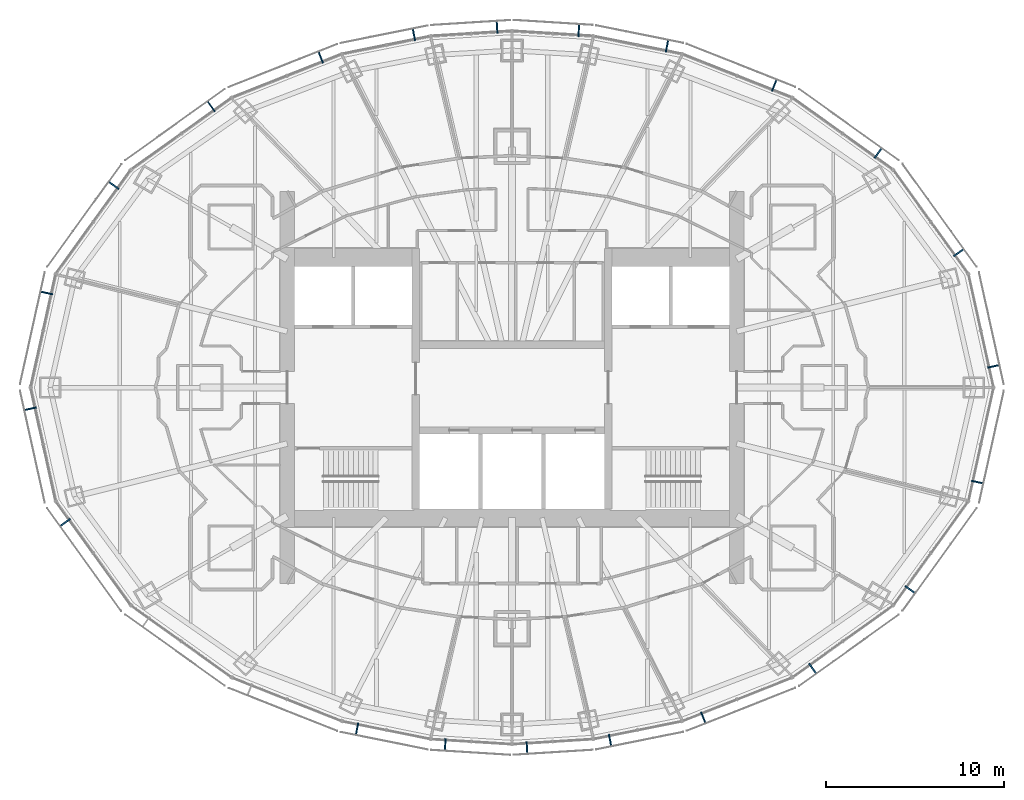
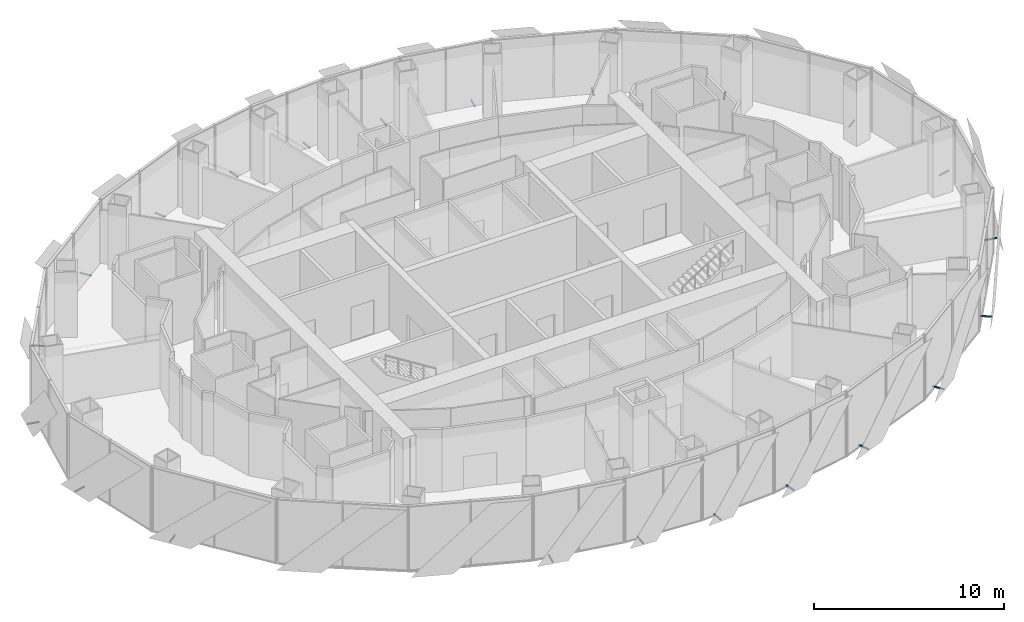
# One storey, part 16 of 19: 22 discrete accessories.
"""IFC4 building model written with IfcOpenShell, lengths in metres."""

from ifc_helpers import new_model, si_unit, direction, frame, origin, origin_2d, place, context, subcontext, project, spatial, rectangle, extrude, element, save


model = new_model("IFC4")

# Units and contexts
model_context = context("Model", 3, precision=1e-05, world=origin(), true_north=direction((0.0, 1.0)))
body_context = subcontext(model_context, "Body", "Model", "MODEL_VIEW")
ifc_project = project(units=[si_unit("LENGTHUNIT", "METRE"), si_unit("AREAUNIT", "SQUARE_METRE"), si_unit("VOLUMEUNIT", "CUBIC_METRE"), si_unit("PLANEANGLEUNIT", "RADIAN"), si_unit("MASSUNIT", "GRAM", prefix="KILO")], contexts=[model_context])

# Site, building, storey
site_placement = place(None, origin())
site = spatial("IfcSite", under=ifc_project, at=site_placement, CompositionType="ELEMENT")
building_placement = place(site_placement, origin())
building = spatial("IfcBuilding", under=site, at=building_placement, Name="Lantaw Convention Tower", CompositionType="ELEMENT")
storey_placement = place(building_placement, frame((0.0, 0.0, 253.60009765625)))
storey = spatial("IfcBuildingStorey", under=building, at=storey_placement, Name="L59", CompositionType="ELEMENT", Elevation=253.60009765625)

# Discrete accessories
for number, where, z_axis, x_axis, name in (
    (1, (27.002197265625, 1.189453125, -0.115234375), (0.0, 0.0, 1.0), (-0.215891333626, 0.976417396437, 0.0), "Screen bracket"),
    (2, (25.05419921875, 7.564453125, -0.115234375), (0.0, 0.0, 1.0), (-0.585157643865, 0.810919559405, 0.0), "Screen bracket"),
    (3, (20.524169921875, 13.14453125, -0.115234375), (0.0, 0.0, 1.0), (-0.813672540482, 0.581323487281, 0.0), "Screen bracket"),
    (4, (14.707763671875, 16.94140625, -0.115234375), (0.0, 0.0, 1.0), (-0.929761533743, 0.368162315252, 0.0), "Screen bracket"),
    (5, (8.68896484375, 19.145751953125, -0.115234375), (0.0, 0.0, 1.0), (-0.980366679695, 0.197183095987, 0.0), "Screen bracket"),
    (6, (3.743896484375, 20.024169921875, -0.115234375), (0.0, 0.0, 1.0), (-0.998028774865, 0.062757983884, 0.0), "Screen bracket"),
    (7, (-0.83984375, 20.206787109375, -0.115234375), (0.0, 0.0, 1.0), (-0.998028774865, -0.062757983884, 0.0), "Screen bracket"),
    (8, (-5.49853515625, 19.78759765625, -0.115234375), (0.0, 0.0, 1.0), (-0.980366679695, -0.197183095987, 0.0), "Screen bracket"),
    (9, (-10.7255859375, 18.518310546875, -0.115234375), (0.0, 0.0, 1.0), (-0.929761533743, -0.368162315252, 0.0), "Screen bracket"),
    (10, (-16.863525390625, 15.759765625, -0.115234375), (0.0, 0.0, 1.0), (-0.813672540482, -0.581323487281, 0.0), "Screen bracket"),
    (11, (-22.333251953125, 11.3349609375, -0.115234375), (0.0, 0.0, 1.0), (-0.585157643865, -0.810919559405, 0.0), "Screen bracket"),
    (12, (-26.0927734375, 5.302490234375, -0.115234375), (0.0, 0.0, 1.0), (-0.215891333626, -0.976417396437, 0.0), "Screen bracket"),
    (13, (-27.002197265625, -1.189453125, -0.115234375), (0.0, 0.0, 1.0), (0.215891333626, -0.976417396437, 0.0), "Screen bracket"),
    (14, (-25.05419921875, -7.564453125, -0.115234375), (0.0, 0.0, 1.0), (0.585157643865, -0.810919559405, 0.0), "Screen bracket"),
    (15, (-8.68896484375, -19.145751953125, -0.115234375), (0.0, 0.0, 1.0), (0.980366679695, -0.197183095987, 0.0), "Screen bracket"),
    (16, (-3.743896484375, -20.024169921875, -0.115234375), (0.0, 0.0, 1.0), (0.998028774865, -0.062757983884, 0.0), "Screen bracket"),
    (17, (0.83984375, -20.206787109375, -0.115234375), (0.0, 0.0, 1.0), (0.998028774865, 0.062757983884, 0.0), "Screen bracket"),
    (18, (5.49853515625, -19.78759765625, -0.115234375), (0.0, 0.0, 1.0), (0.980366679695, 0.197183095987, 0.0), "Screen bracket"),
    (19, (10.7255859375, -18.518310546875, -0.115234375), (0.0, 0.0, 1.0), (0.929761533743, 0.368162315252, 0.0), "Screen bracket"),
    (20, (16.863525390625, -15.759765625, -0.115234375), (0.0, 0.0, 1.0), (0.813672540482, 0.581323487281, 0.0), "Screen bracket"),
    (21, (22.333251953125, -11.3349609375, -0.115234375), (0.0, 0.0, 1.0), (0.585157643865, 0.810919559405, 0.0), "Screen bracket"),
    (22, (26.0927734375, -5.302490234375, -0.115234375), (0.0, 0.0, 1.0), (0.215891333626, 0.976417396437, 0.0), "Screen bracket"),
):
    element("IfcDiscreteAccessory", number, at=place(storey_placement, frame(where, z_axis=z_axis, x_axis=x_axis)), inside=storey, Name=name, PredefinedType="BRACKET", context=body_context, shape_type="SweptSolid", body=[
        extrude(rectangle(XDim=0.080078125, YDim=0.68798828125, at=origin_2d()), origin(), (0.0, 0.0, 1.0), 0.080078125),
    ])

save(model, "model.ifc")
